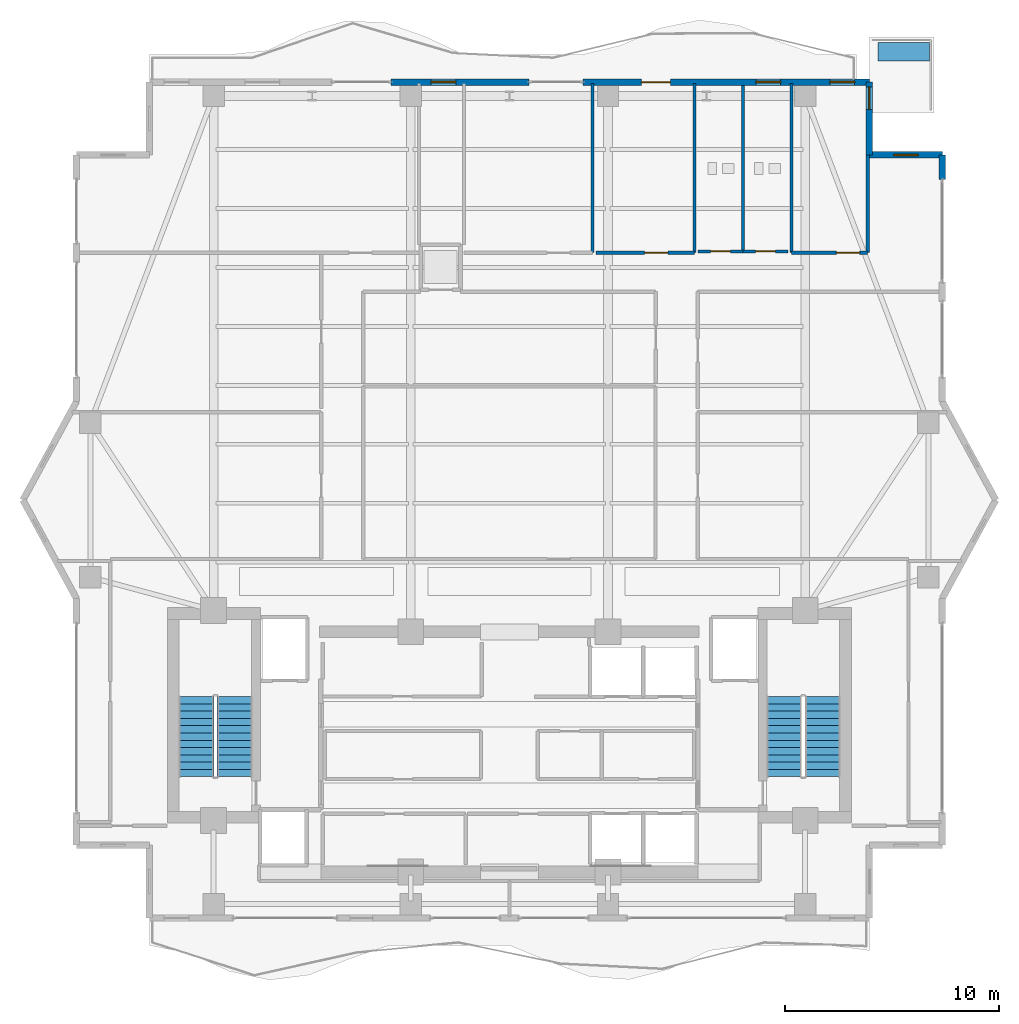
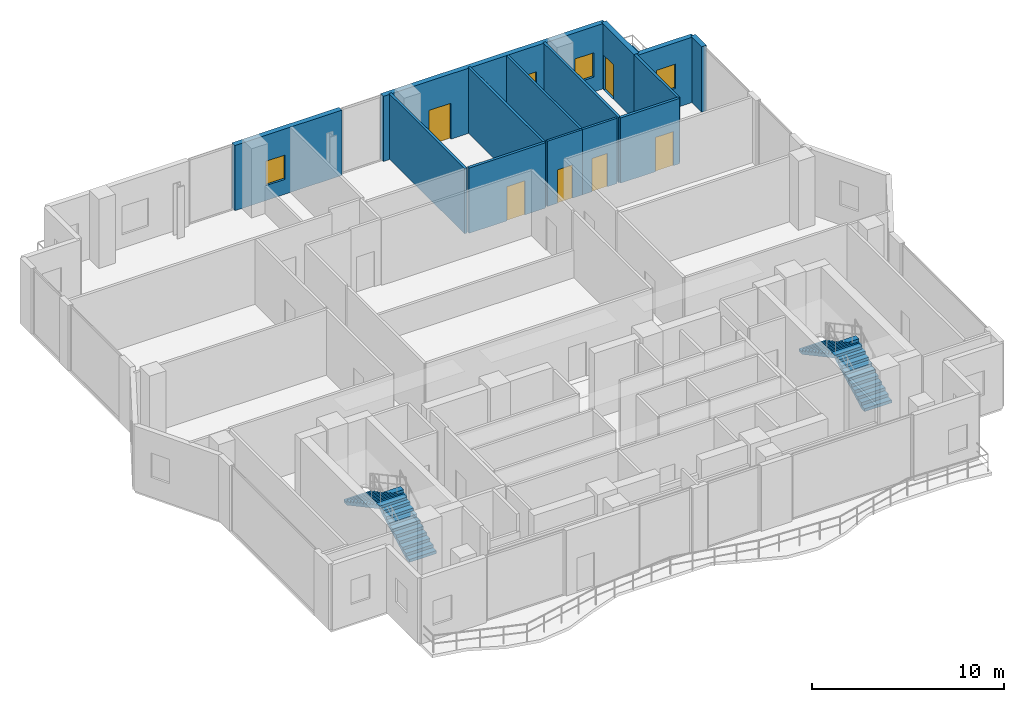
# One storey, part 20 of 24: 14 walls, 6 doors, 4 stair flights, 4 windows, 1 building element part, 10 openings, 2 elements without a shape of their own.
"""IFC4 building model written with IfcOpenShell, lengths in metres."""

from ifc_helpers import new_model, si_unit, direction, frame, frame_2d, origin, origin_2d, place, context, subcontext, project, spatial, polyline, rectangle, outline, extrude, material, layer, layer_set, type_object, element, fill, aggregate, save


model = new_model("IFC4")

# Units and contexts
model_context = context("Model", 3, precision=1e-05, world=origin(), true_north=direction((0.0, 1.0)))
body_context = subcontext(model_context, "Body", "Model", "MODEL_VIEW")
ifc_project = project(units=[si_unit("LENGTHUNIT", "METRE"), si_unit("AREAUNIT", "SQUARE_METRE"), si_unit("VOLUMEUNIT", "CUBIC_METRE"), si_unit("PLANEANGLEUNIT", "RADIAN"), si_unit("MASSUNIT", "GRAM", prefix="KILO")], contexts=[model_context])

# Site, building, storey
site_placement = place(None, origin())
site = spatial("IfcSite", under=ifc_project, at=site_placement, CompositionType="ELEMENT")
building_placement = place(site_placement, origin())
building = spatial("IfcBuilding", under=site, at=building_placement, Name="Zuhayl Quay Hotel", CompositionType="ELEMENT")
storey_placement = place(building_placement, frame((0.0, 0.0, 292.85009765625)))
storey = spatial("IfcBuildingStorey", under=building, at=storey_placement, Name="L74", CompositionType="ELEMENT", Elevation=292.85009765625)

# Wall, opening, window
ifc_material_1 = material(Name="Precast concrete C45/55", Category="concrete")
ifc_layer_1 = layer(ifc_material_1, 0.300048828125, Name="Precast concrete C45/55", Category="concrete")
ifc_layer_set_1 = layer_set([ifc_layer_1], Name="Precast concrete C45/55")
wall_type_1 = type_object("IfcWallType", Name="WL_EXT_300", PredefinedType="STANDARD", material=ifc_layer_set_1)
wall_1_placement = place(storey_placement, frame((-5.52001953125, 39.0, 0.0), z_axis=(0.0, 0.0, 1.0), x_axis=(1.0, 0.0, 0.0)))
wall_1 = element("IfcWall", 1, at=wall_1_placement, inside=storey, type_object=wall_type_1, Name="L74 Exterior Precast Wall ENV_L74_N_EW2", PredefinedType="STANDARD", context=body_context, shape_type="SweptSolid", body=[
    extrude(rectangle(XDim=6.43994140625, YDim=0.300048828125, at=frame_2d((3.219970703125, 0.0))), origin(), (0.0, 0.0, 1.0), 4.159912109375),
])
opening_1_placement = place(wall_1_placement, frame((1.875, 0.0, 0.949951171875)))
opening_1 = element("IfcOpeningElement", 2, at=opening_1_placement, cuts=wall_1, Name="Opening W01N", PredefinedType="OPENING", context=body_context, shape_type="SweptSolid", body=[
    extrude(rectangle(XDim=1.14990234375, YDim=1.550048828125, at=frame_2d((0.574951171875, 0.77490234375))), frame((0.0, 0.159912109375, 0.0), z_axis=(0.0, -1.0, 0.0), x_axis=(1.0, 0.0, 0.0)), (0.0, 0.0, 1.0), 0.320068359375),
])
ifc_material_2 = material(Name="Dark Ceramic-Fritted Solar Glass", Category="glass")
window_type = type_object("IfcWindowType", Name="WN_NOTCH_1350", PartitioningType="SINGLE_PANEL", PredefinedType="WINDOW", material=ifc_material_2)
window_1_placement = place(opening_1_placement, origin())
window_1 = element("IfcWindow", 3, at=window_1_placement, inside=storey, type_object=window_type, Name="L74 Operable Facade Window 2-1", OverallHeight=1.550048828125, OverallWidth=1.14990234375, PartitioningType="SINGLE_PANEL", PredefinedType="WINDOW", context=body_context, shape_type="SweptSolid", body=[
    extrude(rectangle(XDim=1.14990234375, YDim=1.550048828125, at=frame_2d((0.574951171875, 0.77490234375))), frame((0.0, 0.030029296875, 0.0), z_axis=(0.0, -1.0, 0.0), x_axis=(1.0, 0.0, 0.0)), (0.0, 0.0, 1.0), 0.06005859375),
])
fill(opening_1, window_1)

# Wall, openings, door, windows
wall_2_placement = place(storey_placement, frame((3.429931640625, 39.0, 0.0), z_axis=(0.0, 0.0, 1.0), x_axis=(1.0, 0.0, 0.0)))
wall_2 = element("IfcWall", 4, at=wall_2_placement, inside=storey, type_object=wall_type_1, Name="L74 Exterior Precast Wall ENV_L74_N_EW3", PredefinedType="STANDARD", context=body_context, shape_type="SweptSolid", body=[
    extrude(rectangle(XDim=13.3701171875, YDim=0.300048828125, at=frame_2d((6.68505859375, 0.0))), origin(), (0.0, 0.0, 1.0), 4.159912109375),
])
opening_2_placement = place(wall_2_placement, frame((2.72607421875, 0.0, 0.0)))
opening_2 = element("IfcOpeningElement", 5, at=opening_2_placement, cuts=wall_2, Name="Opening DG2", PredefinedType="OPENING", context=body_context, shape_type="SweptSolid", body=[
    extrude(rectangle(XDim=1.35009765625, YDim=2.300048828125, at=frame_2d((0.675048828125, 1.14990234375))), frame((0.0, 0.159912109375, 0.0), z_axis=(0.0, -1.0, 0.0), x_axis=(1.0, 0.0, 0.0)), (0.0, 0.0, 1.0), 0.320068359375),
])
opening_3_placement = place(wall_2_placement, frame((8.074951171875, 0.0, 0.949951171875)))
opening_3 = element("IfcOpeningElement", 6, at=opening_3_placement, cuts=wall_2, Name="Opening W01N", PredefinedType="OPENING", context=body_context, shape_type="SweptSolid", body=[
    extrude(rectangle(XDim=1.14990234375, YDim=1.550048828125, at=frame_2d((0.574951171875, 0.77490234375))), frame((0.0, 0.159912109375, 0.0), z_axis=(0.0, -1.0, 0.0), x_axis=(1.0, 0.0, 0.0)), (0.0, 0.0, 1.0), 0.320068359375),
])
opening_4_placement = place(wall_2_placement, frame((11.52490234375, 0.0, 0.949951171875)))
opening_4 = element("IfcOpeningElement", 7, at=opening_4_placement, cuts=wall_2, Name="Opening W01N", PredefinedType="OPENING", context=body_context, shape_type="SweptSolid", body=[
    extrude(rectangle(XDim=1.14990234375, YDim=1.550048828125, at=frame_2d((0.574951171875, 0.77490234375))), frame((0.0, 0.159912109375, 0.0), z_axis=(0.0, -1.0, 0.0), x_axis=(1.0, 0.0, 0.0)), (0.0, 0.0, 1.0), 0.320068359375),
])
ifc_material_3 = material(Name="Anodised Aluminium and Dark Solar Glass", Category="aluminium")
door_type_1 = type_object("IfcDoorType", Name="DR_EXT_TERR_1350", OperationType="NOTDEFINED", PredefinedType="DOOR", material=ifc_material_3)
door_1_placement = place(opening_2_placement, origin())
door_1 = element("IfcDoor", 8, at=door_1_placement, inside=storey, type_object=door_type_1, Name="L74 North Rippling Balcony Door", OperationType="SINGLE_SWING_LEFT", OverallHeight=2.300048828125, OverallWidth=1.35009765625, PredefinedType="DOOR", context=body_context, shape_type="SweptSolid", body=[
    extrude(rectangle(XDim=1.35009765625, YDim=2.300048828125, at=frame_2d((0.675048828125, 1.14990234375))), frame((0.0, 0.02490234375, 0.0), z_axis=(0.0, -1.0, 0.0), x_axis=(1.0, 0.0, 0.0)), (0.0, 0.0, 1.0), 0.050048828125),
])
fill(opening_2, door_1)
window_2_placement = place(opening_3_placement, origin())
window_2 = element("IfcWindow", 9, at=window_2_placement, inside=storey, type_object=window_type, Name="L74 Operable Facade Window 3-1", OverallHeight=1.550048828125, OverallWidth=1.14990234375, PartitioningType="SINGLE_PANEL", PredefinedType="WINDOW", context=body_context, shape_type="SweptSolid", body=[
    extrude(rectangle(XDim=1.14990234375, YDim=1.550048828125, at=frame_2d((0.574951171875, 0.77490234375))), frame((0.0, 0.030029296875, 0.0), z_axis=(0.0, -1.0, 0.0), x_axis=(1.0, 0.0, 0.0)), (0.0, 0.0, 1.0), 0.06005859375),
])
fill(opening_3, window_2)
window_3_placement = place(opening_4_placement, origin())
window_3 = element("IfcWindow", 10, at=window_3_placement, inside=storey, type_object=window_type, Name="L74 Operable Facade Window 3-2", OverallHeight=1.550048828125, OverallWidth=1.14990234375, PartitioningType="SINGLE_PANEL", PredefinedType="WINDOW", context=body_context, shape_type="SweptSolid", body=[
    extrude(rectangle(XDim=1.14990234375, YDim=1.550048828125, at=frame_2d((0.574951171875, 0.77490234375))), frame((0.0, 0.030029296875, 0.0), z_axis=(0.0, -1.0, 0.0), x_axis=(1.0, 0.0, 0.0)), (0.0, 0.0, 1.0), 0.06005859375),
])
fill(opening_4, window_3)

# Wall, opening, door
wall_3_placement = place(storey_placement, frame((16.800048828125, 39.0, 0.0), z_axis=(0.0, 0.0, 1.0), x_axis=(0.0, -1.0, 0.0)))
wall_3 = element("IfcWall", 11, at=wall_3_placement, inside=storey, type_object=wall_type_1, Name="L74 Exterior Precast Wall ENV_L74_SP_NE", PredefinedType="STANDARD", context=body_context, shape_type="SweptSolid", body=[
    extrude(rectangle(XDim=3.39990234375, YDim=0.300048828125, at=frame_2d((1.699951171875, 0.0))), origin(), (0.0, 0.0, 1.0), 4.159912109375),
])
opening_5_placement = place(wall_3_placement, frame((0.219970703125, 0.0, 0.0)))
opening_5 = element("IfcOpeningElement", 12, at=opening_5_placement, cuts=wall_3, Name="Opening DG1", PredefinedType="OPENING", context=body_context, shape_type="SweptSolid", body=[
    extrude(rectangle(XDim=1.050048828125, YDim=2.199951171875, at=frame_2d((0.52490234375, 1.10009765625))), frame((0.0, 0.159912109375, 0.0), z_axis=(0.0, -1.0, 0.0), x_axis=(1.0, 0.0, 0.0)), (0.0, 0.0, 1.0), 0.320068359375),
])
door_type_2 = type_object("IfcDoorType", Name="DR_EXT_TERR_1050", OperationType="NOTDEFINED", PredefinedType="DOOR", material=ifc_material_3)
door_2_placement = place(opening_5_placement, origin())
door_2 = element("IfcDoor", 13, at=door_2_placement, inside=storey, type_object=door_type_2, Name="L74 Spiral Sky-Terrace NE Access Door", OperationType="SINGLE_SWING_LEFT", OverallHeight=2.199951171875, OverallWidth=1.050048828125, PredefinedType="DOOR", context=body_context, shape_type="SweptSolid", body=[
    extrude(rectangle(XDim=1.050048828125, YDim=2.199951171875, at=frame_2d((0.52490234375, 1.10009765625))), frame((0.0, 0.02490234375, 0.0), z_axis=(0.0, -1.0, 0.0), x_axis=(1.0, 0.0, 0.0)), (0.0, 0.0, 1.0), 0.050048828125),
])
fill(opening_5, door_2)

# Wall, opening, window
wall_4_placement = place(storey_placement, frame((16.800048828125, 35.60009765625, 0.0), z_axis=(0.0, 0.0, 1.0), x_axis=(1.0, 0.0, 0.0)))
wall_4 = element("IfcWall", 14, at=wall_4_placement, inside=storey, type_object=wall_type_1, Name="L74 Exterior Precast Wall ENV_L74_EW10", PredefinedType="STANDARD", context=body_context, shape_type="SweptSolid", body=[
    extrude(rectangle(XDim=3.39990234375, YDim=0.300048828125, at=frame_2d((1.699951171875, 0.0))), origin(), (0.0, 0.0, 1.0), 4.159912109375),
])
opening_6_placement = place(wall_4_placement, frame((1.125, 0.0, 1.25)))
opening_6 = element("IfcOpeningElement", 15, at=opening_6_placement, cuts=wall_4, Name="Opening W01N", PredefinedType="OPENING", context=body_context, shape_type="SweptSolid", body=[
    extrude(rectangle(XDim=1.14990234375, YDim=1.550048828125, at=frame_2d((0.574951171875, 0.77490234375))), frame((0.0, 0.159912109375, 0.0), z_axis=(0.0, -1.0, 0.0), x_axis=(1.0, 0.0, 0.0)), (0.0, 0.0, 1.0), 0.320068359375),
])
window_4_placement = place(opening_6_placement, origin())
window_4 = element("IfcWindow", 16, at=window_4_placement, inside=storey, type_object=window_type, Name="L74 Corner Notch Window 10", OverallHeight=1.550048828125, OverallWidth=1.14990234375, PartitioningType="SINGLE_PANEL", PredefinedType="WINDOW", context=body_context, shape_type="SweptSolid", body=[
    extrude(rectangle(XDim=1.14990234375, YDim=1.550048828125, at=frame_2d((0.574951171875, 0.77490234375))), frame((0.0, 0.030029296875, 0.0), z_axis=(0.0, -1.0, 0.0), x_axis=(1.0, 0.0, 0.0)), (0.0, 0.0, 1.0), 0.06005859375),
])
fill(opening_6, window_4)

# Walls
wall_5_placement = place(storey_placement, frame((20.199951171875, 35.60009765625, 0.0), z_axis=(0.0, 0.0, 1.0), x_axis=(0.0, -1.0, 0.0)))
element("IfcWall", 17, at=wall_5_placement, inside=storey, type_object=wall_type_1, Name="L74 Exterior Precast Wall ENV_L74_E11_EW1", PredefinedType="STANDARD", context=body_context, shape_type="SweptSolid", body=[
    extrude(rectangle(XDim=1.150146484375, YDim=0.300048828125, at=frame_2d((0.5751953125, 0.0))), origin(), (0.0, 0.0, 1.0), 4.159912109375),
])
ifc_material_4 = material(Name="Acoustic Gypsum Partition STC-58")
ifc_layer_2 = layer(ifc_material_4, 0.14990234375, Name="Acoustic Gypsum Partition STC-58")
ifc_layer_set_2 = layer_set([ifc_layer_2], Name="Acoustic Gypsum Partition STC-58")
wall_type_2 = type_object("IfcWallType", Name="WL_PART_150", PredefinedType="PARTITIONING", material=ifc_layer_set_2)
for number, where, z_axis, x_axis, name in (
    (18, (3.8798828125, 31.0400390625, 0.0), (0.0, 0.0, 1.0), (0.0, 1.0, 0.0), "L74 Partition IW_L74_OBS_NC_E"),
    (19, (8.639892578125, 31.0400390625, 0.0), (0.0, 0.0, 1.0), (0.0, 1.0, 0.0), "L74 Partition IW_L74_OBS_NE_E"),
    (20, (13.159912109375, 31.0400390625, 0.0), (0.0, 0.0, 1.0), (0.0, 1.0, 0.0), "L74 Partition IW_L74_OBS_FAR_NE_W"),
):
    element("IfcWall", number, at=place(storey_placement, frame(where, z_axis=z_axis, x_axis=x_axis)), inside=storey, type_object=wall_type_2, Name=name, PredefinedType="PARTITIONING", context=body_context, shape_type="SweptSolid", body=[
        extrude(rectangle(XDim=7.89990234375, YDim=0.14990234375, at=frame_2d((3.949951171875, 0.0))), origin(), (0.0, 0.0, 1.0), 4.159912109375),
    ])
wall_6_placement = place(storey_placement, frame((16.719970703125, 31.0400390625, 0.0), z_axis=(0.0, 0.0, 1.0), x_axis=(0.0, 1.0, 0.0)))
element("IfcWall", 21, at=wall_6_placement, inside=storey, type_object=wall_type_2, Name="L74 Partition IW_L74_OBS_FAR_NE_E", PredefinedType="PARTITIONING", context=body_context, shape_type="SweptSolid", body=[
    extrude(rectangle(XDim=4.56005859375, YDim=0.14990234375, at=frame_2d((2.280029296875, 0.0))), origin(), (0.0, 0.0, 1.0), 4.159912109375),
])

# Wall, opening, door
ifc_layer_3 = layer(ifc_material_4, 0.159912109375, Name="Acoustic Gypsum Partition STC-58")
ifc_layer_set_3 = layer_set([ifc_layer_3], Name="Acoustic Gypsum Partition STC-58")
wall_type_3 = type_object("IfcWallType", Name="WL_PART_CORR_160", PredefinedType="PARTITIONING", material=ifc_layer_set_3)
wall_7_placement = place(storey_placement, frame((4.0400390625, 31.0400390625, 0.0), z_axis=(0.0, 0.0, 1.0), x_axis=(1.0, 0.0, 0.0)))
wall_7 = element("IfcWall", 22, at=wall_7_placement, inside=storey, type_object=wall_type_3, Name="L74 Partition IW_L74_OBS_NE_S", PredefinedType="PARTITIONING", context=body_context, shape_type="SweptSolid", body=[
    extrude(rectangle(XDim=4.599853515625, YDim=0.159912109375, at=frame_2d((2.2998046875, 0.0))), origin(), (0.0, 0.0, 1.0), 4.159912109375),
])
opening_7_placement = place(wall_7_placement, frame((2.27001953125, 0.0, 0.0)))
opening_7 = element("IfcOpeningElement", 23, at=opening_7_placement, cuts=wall_7, Name="Opening D05A", PredefinedType="OPENING", context=body_context, shape_type="SweptSolid", body=[
    extrude(rectangle(XDim=1.080078125, YDim=2.179931640625, at=frame_2d((0.5400390625, 1.08984375))), frame((0.0, 0.08984375, 0.0), z_axis=(0.0, -1.0, 0.0), x_axis=(1.0, 0.0, 0.0)), (0.0, 0.0, 1.0), 0.179931640625),
])
ifc_material_5 = material(Name="Solid Walnut Acoustic Fire Door")
door_type_3 = type_object("IfcDoorType", Name="DR_INT_1100", OperationType="NOTDEFINED", PredefinedType="DOOR", material=ifc_material_5)
door_3_placement = place(opening_7_placement, origin())
door_3 = element("IfcDoor", 24, at=door_3_placement, inside=storey, type_object=door_type_3, Name="L74 North-East Harbor Viewing Salon Door", OperationType="SINGLE_SWING_LEFT", OverallHeight=2.179931640625, OverallWidth=1.080078125, PredefinedType="DOOR", context=body_context, shape_type="SweptSolid", body=[
    extrude(rectangle(XDim=1.080078125, YDim=2.179931640625, at=frame_2d((0.5400390625, 1.08984375))), frame((0.0, 0.02490234375, 0.0), z_axis=(0.0, -1.0, 0.0), x_axis=(1.0, 0.0, 0.0)), (0.0, 0.0, 1.0), 0.050048828125),
])
fill(opening_7, door_3)

wall_8_placement = place(storey_placement, frame((13.159912109375, 31.0400390625, 0.0), z_axis=(0.0, 0.0, 1.0), x_axis=(1.0, 0.0, 0.0)))
wall_8 = element("IfcWall", 25, at=wall_8_placement, inside=storey, type_object=wall_type_3, Name="L74 Partition IW_L74_OBS_FAR_NE_S", PredefinedType="PARTITIONING", context=body_context, shape_type="SweptSolid", body=[
    extrude(rectangle(XDim=3.56005859375, YDim=0.159912109375, at=frame_2d((1.780029296875, 0.0))), origin(), (0.0, 0.0, 1.0), 4.159912109375),
])
opening_8_placement = place(wall_8_placement, frame((2.10009765625, 0.0, 0.0)))
opening_8 = element("IfcOpeningElement", 26, at=opening_8_placement, cuts=wall_8, Name="Opening D05A", PredefinedType="OPENING", context=body_context, shape_type="SweptSolid", body=[
    extrude(rectangle(XDim=1.080078125, YDim=2.179931640625, at=frame_2d((0.5400390625, 1.08984375))), frame((0.0, 0.08984375, 0.0), z_axis=(0.0, -1.0, 0.0), x_axis=(1.0, 0.0, 0.0)), (0.0, 0.0, 1.0), 0.179931640625),
])
door_4_placement = place(opening_8_placement, origin())
door_4 = element("IfcDoor", 27, at=door_4_placement, inside=storey, type_object=door_type_3, Name="L74 Sky Cartography Research Office Door", OperationType="SINGLE_SWING_RIGHT", OverallHeight=2.179931640625, OverallWidth=1.080078125, PredefinedType="DOOR", context=body_context, shape_type="SweptSolid", body=[
    extrude(rectangle(XDim=1.080078125, YDim=2.179931640625, at=frame_2d((0.5400390625, 1.08984375))), frame((0.0, 0.02490234375, 0.0), z_axis=(0.0, -1.0, 0.0), x_axis=(1.0, 0.0, 0.0)), (0.0, 0.0, 1.0), 0.050048828125),
])
fill(opening_8, door_4)

ifc_material_6 = material(Name="Moisture-Resistant Sanitarychase Gypsum")
ifc_layer_4 = layer(ifc_material_6, 0.135009765625, Name="Moisture-Resistant Sanitarychase Gypsum")
ifc_layer_set_4 = layer_set([ifc_layer_4], Name="Moisture-Resistant Sanitarychase Gypsum")
wall_type_4 = type_object("IfcWallType", Name="WL_PART_PLUMB_150", PredefinedType="PLUMBINGWALL", material=ifc_layer_set_4)
wall_9_placement = place(storey_placement, frame((8.800048828125, 31.10009765625, 0.0), z_axis=(0.0, 0.0, 1.0), x_axis=(1.0, 0.0, 0.0)))
wall_9 = element("IfcWall", 28, at=wall_9_placement, inside=storey, type_object=wall_type_4, Name="L74 Partition IW_L74_SWC_PUB_F", PredefinedType="PLUMBINGWALL", context=body_context, shape_type="SweptSolid", body=[
    extrude(rectangle(XDim=2.099853515625, YDim=0.135009765625, at=frame_2d((1.0498046875, 0.0))), origin(), (0.0, 0.0, 1.0), 4.159912109375),
])
opening_9_placement = place(wall_9_placement, frame((0.590087890625, 0.0, 0.0)))
opening_9 = element("IfcOpeningElement", 29, at=opening_9_placement, cuts=wall_9, Name="Opening D05", PredefinedType="OPENING", context=body_context, shape_type="SweptSolid", body=[
    extrude(rectangle(XDim=0.919921875, YDim=2.1201171875, at=frame_2d((0.4599609375, 1.06005859375))), frame((0.0, 0.077392578125, 0.0), z_axis=(0.0, -1.0, 0.0), x_axis=(1.0, 0.0, 0.0)), (0.0, 0.0, 1.0), 0.155029296875),
])
door_type_4 = type_object("IfcDoorType", Name="DR_INT_950", OperationType="NOTDEFINED", PredefinedType="DOOR", material=ifc_material_5)
door_5_placement = place(opening_9_placement, origin())
door_5 = element("IfcDoor", 30, at=door_5_placement, inside=storey, type_object=door_type_4, Name="L74 Public Restroom Door", OperationType="SINGLE_SWING_LEFT", OverallHeight=2.1201171875, OverallWidth=0.919921875, PredefinedType="DOOR", context=body_context, shape_type="SweptSolid", body=[
    extrude(rectangle(XDim=0.919921875, YDim=2.1201171875, at=frame_2d((0.4599609375, 1.06005859375))), frame((0.0, 0.02490234375, 0.0), z_axis=(0.0, -1.0, 0.0), x_axis=(1.0, 0.0, 0.0)), (0.0, 0.0, 1.0), 0.050048828125),
])
fill(opening_9, door_5)

wall_10_placement = place(storey_placement, frame((10.89990234375, 31.10009765625, 0.0), z_axis=(0.0, 0.0, 1.0), x_axis=(1.0, 0.0, 0.0)))
wall_10 = element("IfcWall", 31, at=wall_10_placement, inside=storey, type_object=wall_type_4, Name="L74 Partition IW_L74_SWC_ACC_F", PredefinedType="PLUMBINGWALL", context=body_context, shape_type="SweptSolid", body=[
    extrude(rectangle(XDim=2.10009765625, YDim=0.135009765625, at=frame_2d((1.050048828125, 0.0))), origin(), (0.0, 0.0, 1.0), 4.159912109375),
])
opening_10_placement = place(wall_10_placement, frame((0.590087890625, 0.0, 0.0)))
opening_10 = element("IfcOpeningElement", 32, at=opening_10_placement, cuts=wall_10, Name="Opening D05", PredefinedType="OPENING", context=body_context, shape_type="SweptSolid", body=[
    extrude(rectangle(XDim=0.919921875, YDim=2.1201171875, at=frame_2d((0.4599609375, 1.06005859375))), frame((0.0, 0.077392578125, 0.0), z_axis=(0.0, -1.0, 0.0), x_axis=(1.0, 0.0, 0.0)), (0.0, 0.0, 1.0), 0.155029296875),
])
door_6_placement = place(opening_10_placement, origin())
door_6 = element("IfcDoor", 33, at=door_6_placement, inside=storey, type_object=door_type_4, Name="L74 Accessible Wheelchair WC Door", OperationType="SINGLE_SWING_RIGHT", OverallHeight=2.1201171875, OverallWidth=0.919921875, PredefinedType="DOOR", context=body_context, shape_type="SweptSolid", body=[
    extrude(rectangle(XDim=0.919921875, YDim=2.1201171875, at=frame_2d((0.4599609375, 1.06005859375))), frame((0.0, 0.02490234375, 0.0), z_axis=(0.0, -1.0, 0.0), x_axis=(1.0, 0.0, 0.0)), (0.0, 0.0, 1.0), 0.050048828125),
])
fill(opening_10, door_6)

# Wall
wall_11_placement = place(storey_placement, frame((10.89990234375, 31.10009765625, 0.0), z_axis=(0.0, 0.0, 1.0), x_axis=(0.0, 1.0, 0.0)))
element("IfcWall", 34, at=wall_11_placement, inside=storey, type_object=wall_type_4, Name="L74 Partition IW_L74_SWC_DIV", PredefinedType="PLUMBINGWALL", context=body_context, shape_type="SweptSolid", body=[
    extrude(rectangle(XDim=7.739990234375, YDim=0.135009765625, at=frame_2d((3.8701171875, 0.0))), origin(), (0.0, 0.0, 1.0), 4.159912109375),
])

# Stair, stair flights
ifc_material_7 = material(Name="Concrete C45/55", Category="concrete")
stair_type = type_object("IfcStairType", Name="ST_DOGLEG_TOWER", PredefinedType="HALF_TURN_STAIR", material=ifc_material_7)
stair_1_placement = place(storey_placement, origin())
stair_1 = element("IfcStair", 35, at=stair_1_placement, inside=storey, type_object=stair_type, Name="L74 Smokeproof Exit Stair ST1", PredefinedType="HALF_TURN_STAIR")
ifc_layer_5 = layer(ifc_material_7, 0.159912109375, Name="Concrete C45/55", Category="concrete")
ifc_layer_set_5 = layer_set([ifc_layer_5], Name="Concrete C45/55")
stair_flight_type = type_object("IfcStairFlightType", Name="SF_CONC_164", PredefinedType="STRAIGHT", material=ifc_layer_set_5)
stair_flight_1_placement = place(storey_placement, frame((-12.820068359375, 6.590087890625, 0.0), z_axis=(0.0, 0.0, 1.0), x_axis=(0.0, 1.0, 0.0)))
stair_flight_1 = element("IfcStairFlight", 36, at=stair_flight_1_placement, type_object=stair_flight_type, Name="ST1 flight 1", NumberOfRisers=12, NumberOfTreads=11, PredefinedType="STRAIGHT", RiserHeight=0.183333333, TreadLength=0.34, context=body_context, shape_type="SweptSolid", body=[
    extrude(outline(polyline([(0.0, 0.0), (0.0, 0.183349609375), (0.340087890625, 0.183349609375), (0.340087890625, 0.36669921875), (0.679931640625, 0.36669921875), (0.679931640625, 0.550048828125), (1.02001953125, 0.550048828125), (1.02001953125, 0.7333984375), (1.360107421875, 0.7333984375), (1.360107421875, 0.916748046875), (1.699951171875, 0.916748046875), (1.699951171875, 1.10009765625), (2.0400390625, 1.10009765625), (2.0400390625, 1.283447265625), (2.3798828125, 1.283447265625), (2.3798828125, 1.466552734375), (2.719970703125, 1.466552734375), (2.719970703125, 1.64990234375), (3.06005859375, 1.64990234375), (3.06005859375, 1.833251953125), (3.39990234375, 1.833251953125), (3.39990234375, 2.0166015625), (3.739990234375, 2.0166015625), (3.739990234375, 2.199951171875), (3.739990234375, 1.846435546875), (0.31591796875, 0.0), (0.0, 0.0)])), frame((0.0, 0.81982421875, 0.0), z_axis=(0.0, -1.0, 0.0), x_axis=(1.0, 0.0, 0.0)), (0.0, 0.0, 1.0), 1.639892578125),
])
stair_flight_2_placement = place(storey_placement, frame((-14.610107421875, 10.330078125, 2.199951171875), z_axis=(0.0, 0.0, 1.0), x_axis=(0.0, -1.0, 0.0)))
stair_flight_2 = element("IfcStairFlight", 37, at=stair_flight_2_placement, type_object=stair_flight_type, Name="ST1 flight 2", NumberOfRisers=12, NumberOfTreads=11, PredefinedType="STRAIGHT", RiserHeight=0.183333333, TreadLength=0.34, context=body_context, shape_type="SweptSolid", body=[
    extrude(outline(polyline([(0.0, 0.0), (0.0, 0.183349609375), (0.340087890625, 0.183349609375), (0.340087890625, 0.36669921875), (0.679931640625, 0.36669921875), (0.679931640625, 0.550048828125), (1.02001953125, 0.550048828125), (1.02001953125, 0.7333984375), (1.360107421875, 0.7333984375), (1.360107421875, 0.916748046875), (1.699951171875, 0.916748046875), (1.699951171875, 1.10009765625), (2.0400390625, 1.10009765625), (2.0400390625, 1.283447265625), (2.3798828125, 1.283447265625), (2.3798828125, 1.466552734375), (2.719970703125, 1.466552734375), (2.719970703125, 1.64990234375), (3.06005859375, 1.64990234375), (3.06005859375, 1.833251953125), (3.39990234375, 1.833251953125), (3.39990234375, 2.0166015625), (3.739990234375, 2.0166015625), (3.739990234375, 2.199951171875), (3.739990234375, 1.846435546875), (0.31591796875, 0.0), (0.0, 0.0)])), frame((0.0, 0.81982421875, 0.0), z_axis=(0.0, -1.0, 0.0), x_axis=(1.0, 0.0, 0.0)), (0.0, 0.0, 1.0), 1.639892578125),
])
aggregate(stair_1, [stair_flight_1, stair_flight_2])

stair_2_placement = place(storey_placement, origin())
stair_2 = element("IfcStair", 38, at=stair_2_placement, inside=storey, type_object=stair_type, Name="L74 Smokeproof Exit Stair ST2", PredefinedType="HALF_TURN_STAIR")
stair_flight_3_placement = place(storey_placement, frame((14.610107421875, 6.590087890625, 0.0), z_axis=(0.0, 0.0, 1.0), x_axis=(0.0, 1.0, 0.0)))
stair_flight_3 = element("IfcStairFlight", 39, at=stair_flight_3_placement, type_object=stair_flight_type, Name="ST2 flight 1", NumberOfRisers=12, NumberOfTreads=11, PredefinedType="STRAIGHT", RiserHeight=0.183333333, TreadLength=0.34, context=body_context, shape_type="SweptSolid", body=[
    extrude(outline(polyline([(0.0, 0.0), (0.0, 0.183349609375), (0.340087890625, 0.183349609375), (0.340087890625, 0.36669921875), (0.679931640625, 0.36669921875), (0.679931640625, 0.550048828125), (1.02001953125, 0.550048828125), (1.02001953125, 0.7333984375), (1.360107421875, 0.7333984375), (1.360107421875, 0.916748046875), (1.699951171875, 0.916748046875), (1.699951171875, 1.10009765625), (2.0400390625, 1.10009765625), (2.0400390625, 1.283447265625), (2.3798828125, 1.283447265625), (2.3798828125, 1.466552734375), (2.719970703125, 1.466552734375), (2.719970703125, 1.64990234375), (3.06005859375, 1.64990234375), (3.06005859375, 1.833251953125), (3.39990234375, 1.833251953125), (3.39990234375, 2.0166015625), (3.739990234375, 2.0166015625), (3.739990234375, 2.199951171875), (3.739990234375, 1.846435546875), (0.31591796875, 0.0), (0.0, 0.0)])), frame((0.0, 0.81982421875, 0.0), z_axis=(0.0, -1.0, 0.0), x_axis=(1.0, 0.0, 0.0)), (0.0, 0.0, 1.0), 1.639892578125),
])
stair_flight_4_placement = place(storey_placement, frame((12.820068359375, 10.330078125, 2.199951171875), z_axis=(0.0, 0.0, 1.0), x_axis=(0.0, -1.0, 0.0)))
stair_flight_4 = element("IfcStairFlight", 40, at=stair_flight_4_placement, type_object=stair_flight_type, Name="ST2 flight 2", NumberOfRisers=12, NumberOfTreads=11, PredefinedType="STRAIGHT", RiserHeight=0.183333333, TreadLength=0.34, context=body_context, shape_type="SweptSolid", body=[
    extrude(outline(polyline([(0.0, 0.0), (0.0, 0.183349609375), (0.340087890625, 0.183349609375), (0.340087890625, 0.36669921875), (0.679931640625, 0.36669921875), (0.679931640625, 0.550048828125), (1.02001953125, 0.550048828125), (1.02001953125, 0.7333984375), (1.360107421875, 0.7333984375), (1.360107421875, 0.916748046875), (1.699951171875, 0.916748046875), (1.699951171875, 1.10009765625), (2.0400390625, 1.10009765625), (2.0400390625, 1.283447265625), (2.3798828125, 1.283447265625), (2.3798828125, 1.466552734375), (2.719970703125, 1.466552734375), (2.719970703125, 1.64990234375), (3.06005859375, 1.64990234375), (3.06005859375, 1.833251953125), (3.39990234375, 1.833251953125), (3.39990234375, 2.0166015625), (3.739990234375, 2.0166015625), (3.739990234375, 2.199951171875), (3.739990234375, 1.846435546875), (0.31591796875, 0.0), (0.0, 0.0)])), frame((0.0, 0.81982421875, 0.0), z_axis=(0.0, -1.0, 0.0), x_axis=(1.0, 0.0, 0.0)), (0.0, 0.0, 1.0), 1.639892578125),
])
aggregate(stair_2, [stair_flight_3, stair_flight_4])

# Building element part
ifc_layer_6 = layer(ifc_material_1, 0.550048828125, Name="Precast concrete C45/55", Category="concrete")
ifc_layer_set_6 = layer_set([ifc_layer_6], Name="Precast concrete C45/55")
building_element_part_type = type_object("IfcBuildingElementPartType", Name="PT_PLANTER_KERB", PredefinedType="PRECASTPANEL", material=ifc_layer_set_6)
building_element_part_placement = place(storey_placement, frame((18.409912109375, 40.409912109375, 0.0), z_axis=(0.0, 0.0, 1.0), x_axis=(1.0, 0.0, 0.0)))
element("IfcBuildingElementPart", 41, at=building_element_part_placement, inside=storey, type_object=building_element_part_type, Name="L74 Spiral Sky-Terrace Planter Box NE", PredefinedType="PRECASTPANEL", context=body_context, shape_type="SweptSolid", body=[
    extrude(rectangle(XDim=2.39990234375, YDim=0.85009765625, at=origin_2d()), origin(), (0.0, 0.0, 1.0), 0.550048828125),
])

save(model, "model.ifc")
